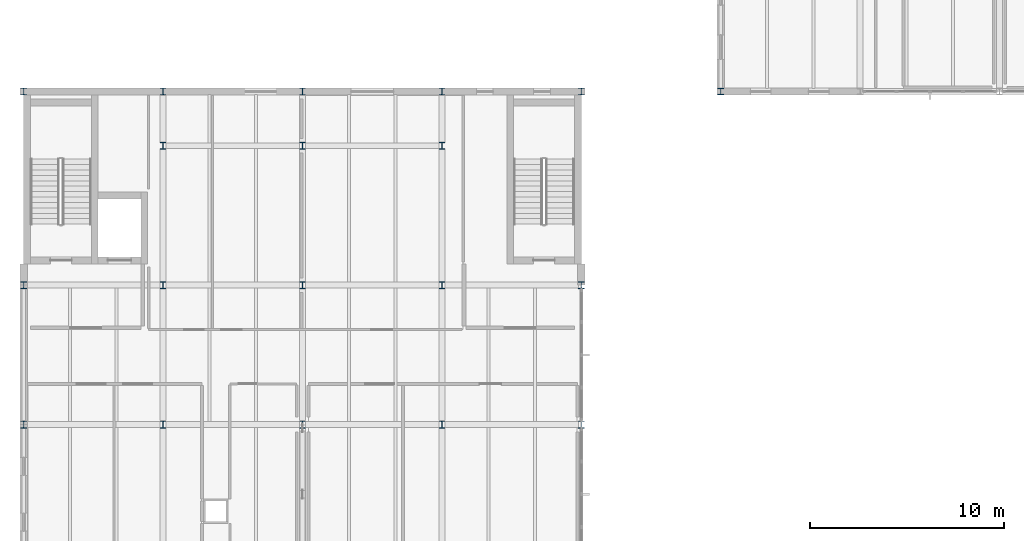
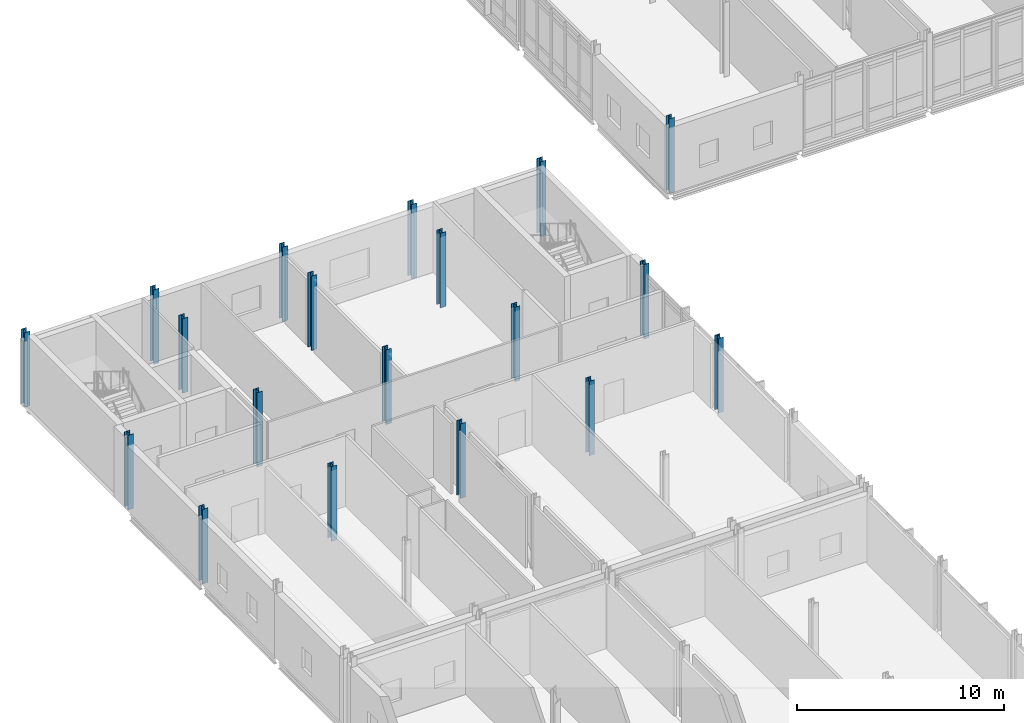
# One storey, part 7 of 76: 19 columns.
"""IFC4 building model written with IfcOpenShell, lengths in metres."""

from ifc_helpers import new_model, si_unit, direction, frame, origin, origin_2d, place, context, subcontext, project, spatial, i_section, extrude, material, material_profile, profile_set, type_object, element, save


model = new_model("IFC4")

# Units and contexts
model_context = context("Model", 3, precision=1e-05, world=origin(), true_north=direction((0.0, 1.0)))
body_context = subcontext(model_context, "Body", "Model", "MODEL_VIEW")
ifc_project = project(units=[si_unit("LENGTHUNIT", "METRE"), si_unit("AREAUNIT", "SQUARE_METRE"), si_unit("VOLUMEUNIT", "CUBIC_METRE"), si_unit("PLANEANGLEUNIT", "RADIAN"), si_unit("MASSUNIT", "GRAM", prefix="KILO")], contexts=[model_context])

# Site, building, storey
site_placement = place(None, origin())
site = spatial("IfcSite", under=ifc_project, at=site_placement, CompositionType="ELEMENT")
building_placement = place(site_placement, origin())
building = spatial("IfcBuilding", under=site, at=building_placement, Name="Zarrinpeak Specialist Clinic", CompositionType="ELEMENT")
storey_placement = place(building_placement, frame((0.0, 0.0, 5.199951171875)))
storey = spatial("IfcBuildingStorey", under=building, at=storey_placement, Name="L01", CompositionType="ELEMENT", Elevation=5.199951171875)

# Columns
ifc_material = material(Name="Steel S355", Category="steel")
ifc_material_profile_1 = material_profile(ifc_material, i_section(OverallWidth=0.300048828125, OverallDepth=0.320068359375, WebThickness=0.011474609375, FlangeThickness=0.0205078125, FilletRadius=0.027099609375, at=origin_2d()), Name="HEB 320")
ifc_profile_set_1 = profile_set([ifc_material_profile_1], Name="Steel S355")
column_type_1 = type_object("IfcColumnType", Name="COL-HEB320", PredefinedType="COLUMN", material=ifc_profile_set_1)
column_placement = place(storey_placement, frame((36.0, 82.0, 0.0), z_axis=(0.0, 0.0, 1.0), x_axis=(1.0, 0.0, 0.0)))
element("IfcColumn", 1, at=column_placement, inside=storey, type_object=column_type_1, Name="L01 Structural Column COL-L01-074", PredefinedType="COLUMN", context=body_context, shape_type="SweptSolid", body=[
    extrude(i_section(OverallWidth=0.300048828125, OverallDepth=0.320068359375, WebThickness=0.011474609375, FlangeThickness=0.0205078125, FilletRadius=0.027099609375, at=origin_2d()), origin(), (0.0, 0.0, 1.0), 4.400146484375),
])
ifc_material_profile_2 = material_profile(ifc_material, i_section(OverallWidth=0.300048828125, OverallDepth=0.360107421875, WebThickness=0.012451171875, FlangeThickness=0.0224609375, FilletRadius=0.027099609375, at=origin_2d()), Name="HEB 360")
ifc_profile_set_2 = profile_set([ifc_material_profile_2], Name="Steel S355")
column_type_2 = type_object("IfcColumnType", Name="COL-HEB360", PredefinedType="COLUMN", material=ifc_profile_set_2)
for number, where, z_axis, x_axis, name in (
    (2, (0.0, 64.800048828125, 0.0), (0.0, 0.0, 1.0), (1.0, 0.0, 0.0), "L01 Structural Column COL-L01-009"),
    (3, (0.0, 72.0, 0.0), (0.0, 0.0, 1.0), (1.0, 0.0, 0.0), "L01 Structural Column COL-L01-010"),
    (4, (0.0, 82.0, 0.0), (0.0, 0.0, 1.0), (1.0, 0.0, 0.0), "L01 Structural Column COL-L01-011"),
    (5, (7.199951171875, 64.800048828125, 0.0), (0.0, 0.0, 1.0), (1.0, 0.0, 0.0), "L01 Structural Column COL-L01-022"),
    (6, (7.199951171875, 72.0, 0.0), (0.0, 0.0, 1.0), (1.0, 0.0, 0.0), "L01 Structural Column COL-L01-023"),
    (7, (7.199951171875, 79.199951171875, 0.0), (0.0, 0.0, 1.0), (1.0, 0.0, 0.0), "L01 Structural Column COL-L01-024"),
    (8, (7.199951171875, 82.0, 0.0), (0.0, 0.0, 1.0), (1.0, 0.0, 0.0), "L01 Structural Column COL-L01-025"),
    (9, (14.39990234375, 64.800048828125, 0.0), (0.0, 0.0, 1.0), (1.0, 0.0, 0.0), "L01 Structural Column COL-L01-036"),
    (10, (14.39990234375, 72.0, 0.0), (0.0, 0.0, 1.0), (1.0, 0.0, 0.0), "L01 Structural Column COL-L01-037"),
    (11, (14.39990234375, 79.199951171875, 0.0), (0.0, 0.0, 1.0), (1.0, 0.0, 0.0), "L01 Structural Column COL-L01-038"),
    (12, (14.39990234375, 82.0, 0.0), (0.0, 0.0, 1.0), (1.0, 0.0, 0.0), "L01 Structural Column COL-L01-039"),
    (13, (21.60009765625, 64.800048828125, 0.0), (0.0, 0.0, 1.0), (1.0, 0.0, 0.0), "L01 Structural Column COL-L01-050"),
    (14, (21.60009765625, 72.0, 0.0), (0.0, 0.0, 1.0), (1.0, 0.0, 0.0), "L01 Structural Column COL-L01-051"),
    (15, (21.60009765625, 79.199951171875, 0.0), (0.0, 0.0, 1.0), (1.0, 0.0, 0.0), "L01 Structural Column COL-L01-052"),
    (16, (21.60009765625, 82.0, 0.0), (0.0, 0.0, 1.0), (1.0, 0.0, 0.0), "L01 Structural Column COL-L01-053"),
    (17, (28.800048828125, 64.800048828125, 0.0), (0.0, 0.0, 1.0), (1.0, 0.0, 0.0), "L01 Structural Column COL-L01-062"),
    (18, (28.800048828125, 72.0, 0.0), (0.0, 0.0, 1.0), (1.0, 0.0, 0.0), "L01 Structural Column COL-L01-063"),
    (19, (28.800048828125, 82.0, 0.0), (0.0, 0.0, 1.0), (1.0, 0.0, 0.0), "L01 Structural Column COL-L01-064"),
):
    element("IfcColumn", number, at=place(storey_placement, frame(where, z_axis=z_axis, x_axis=x_axis)), inside=storey, type_object=column_type_2, Name=name, PredefinedType="COLUMN", context=body_context, shape_type="SweptSolid", body=[
        extrude(i_section(OverallWidth=0.300048828125, OverallDepth=0.360107421875, WebThickness=0.012451171875, FlangeThickness=0.0224609375, FilletRadius=0.027099609375, at=origin_2d()), origin(), (0.0, 0.0, 1.0), 4.400146484375),
    ])

save(model, "model.ifc")
